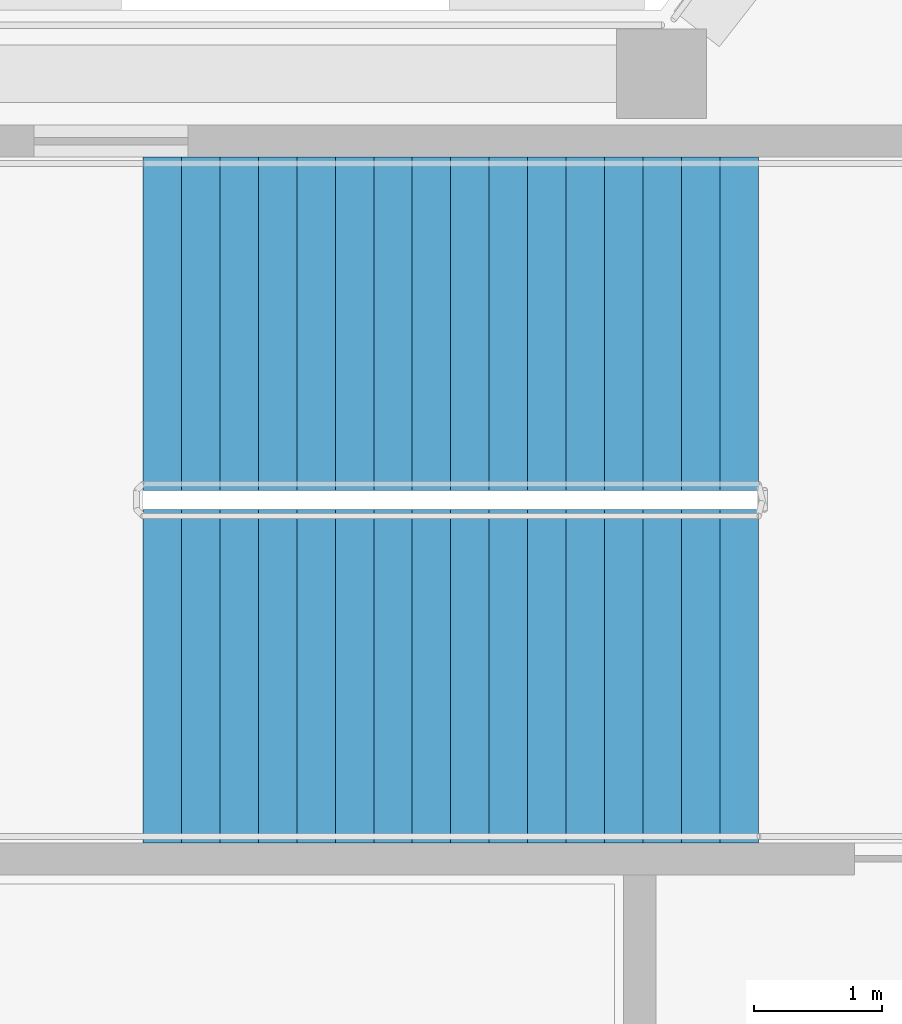
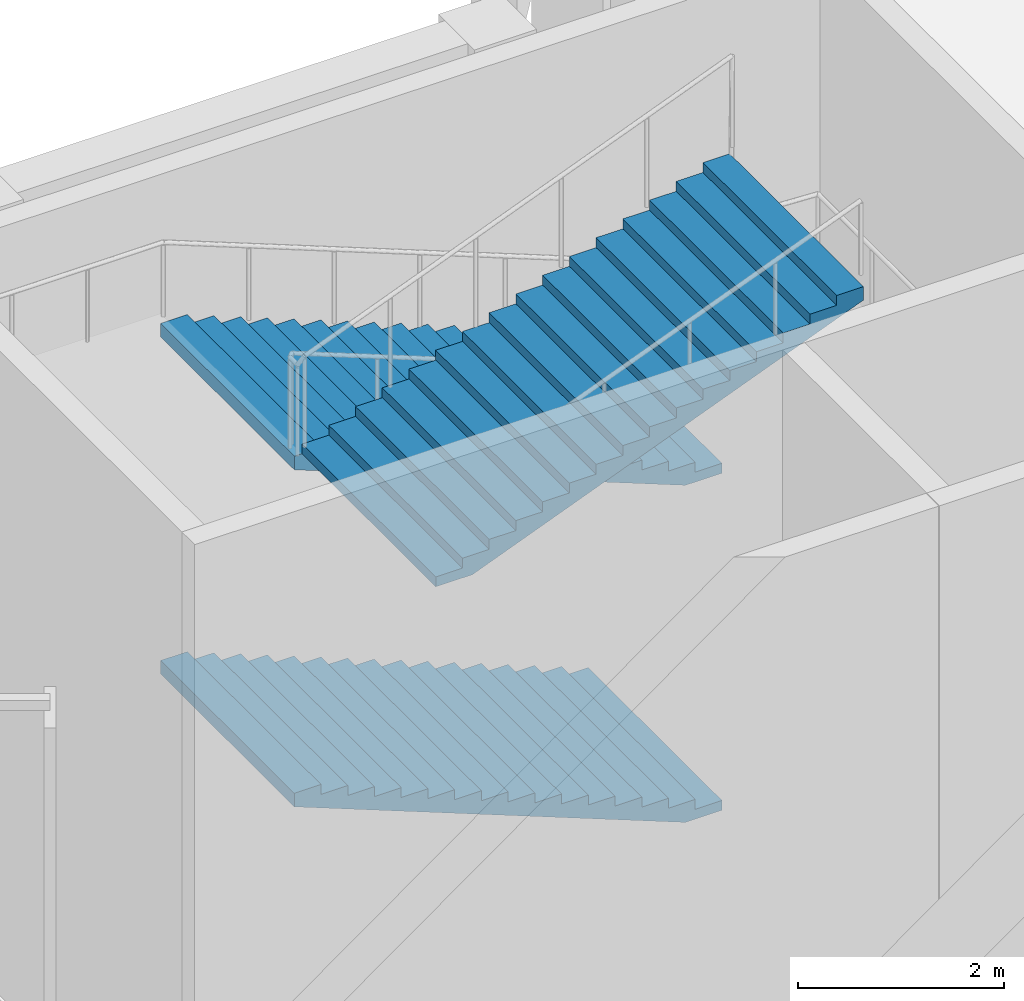
# One storey, part 6 of 12: 3 stair flights, 1 element without a shape of its own.
"""IFC4 building model written with IfcOpenShell, lengths in metres."""

from ifc_helpers import new_model, si_unit, direction, frame, origin, place, context, subcontext, project, spatial, polyline, outline, extrude, material, type_object, element, aggregate, save


model = new_model("IFC4")

# Units and contexts
model_context = context("Model", 3, precision=1e-05, world=origin(), true_north=direction((0.0, 1.0)))
body_context = subcontext(model_context, "Body", "Model", "MODEL_VIEW")
ifc_project = project(units=[si_unit("LENGTHUNIT", "METRE"), si_unit("AREAUNIT", "SQUARE_METRE"), si_unit("VOLUMEUNIT", "CUBIC_METRE"), si_unit("PLANEANGLEUNIT", "RADIAN"), si_unit("MASSUNIT", "GRAM", prefix="KILO")], contexts=[model_context])

# Site, building, storey
site_placement = place(None, origin())
site = spatial("IfcSite", under=ifc_project, at=site_placement, CompositionType="ELEMENT")
building_placement = place(site_placement, origin())
building = spatial("IfcBuilding", under=site, at=building_placement, Name="Quipu Civic Tower", CompositionType="ELEMENT")
storey_placement = place(building_placement, frame((0.0, 0.0, 273.0)))
storey = spatial("IfcBuildingStorey", under=building, at=storey_placement, Name="L64", CompositionType="ELEMENT", Elevation=273.0)

# Stair, stair flights
ifc_material_1 = material(Name="Concrete C40/50", Category="concrete")
stair_type = type_object("IfcStairType", Name="Half turn stair 2600", PredefinedType="HALF_TURN_STAIR", material=ifc_material_1)
stair_placement = place(storey_placement, origin())
stair = element("IfcStair", 1, at=stair_placement, inside=storey, type_object=stair_type, Name="Exit stair 4", PredefinedType="HALF_TURN_STAIR")
ifc_material_2 = material(Name="Concrete C40/50", Category="concrete")
stair_flight_type = type_object("IfcStairFlightType", Name="Stair flight 2600", PredefinedType="STRAIGHT", material=ifc_material_2)
stair_flight_1_placement = place(storey_placement, frame((15.14990234375, 8.550048828125, 0.0), z_axis=(0.0, 0.0, 1.0), x_axis=(-1.0, 0.0, 0.0)))
stair_flight_1 = element("IfcStairFlight", 2, at=stair_flight_1_placement, type_object=stair_flight_type, Name="ST-4 flight 1", NumberOfRisers=17, NumberOfTreads=16, PredefinedType="STRAIGHT", RiserHeight=0.117647059, TreadLength=0.3, context=body_context, shape_type="SweptSolid", body=[
    extrude(outline(polyline([(0.0, 0.0), (0.0, 0.11767578125), (0.300048828125, 0.11767578125), (0.300048828125, 0.2353515625), (0.60009765625, 0.2353515625), (0.60009765625, 0.35302734375), (0.89990234375, 0.35302734375), (0.89990234375, 0.470703125), (1.199951171875, 0.470703125), (1.199951171875, 0.588134765625), (1.5, 0.588134765625), (1.5, 0.705810546875), (1.800048828125, 0.705810546875), (1.800048828125, 0.823486328125), (2.10009765625, 0.823486328125), (2.10009765625, 0.941162109375), (2.39990234375, 0.941162109375), (2.39990234375, 1.058837890625), (2.699951171875, 1.058837890625), (2.699951171875, 1.176513671875), (3.0, 1.176513671875), (3.0, 1.294189453125), (3.300048828125, 1.294189453125), (3.300048828125, 1.411865234375), (3.60009765625, 1.411865234375), (3.60009765625, 1.529296875), (3.89990234375, 1.529296875), (3.89990234375, 1.64697265625), (4.199951171875, 1.64697265625), (4.199951171875, 1.7646484375), (4.5, 1.7646484375), (4.5, 1.88232421875), (4.800048828125, 1.88232421875), (4.800048828125, 2.0), (4.800048828125, 1.721435546875), (0.41064453125, 0.0), (0.0, 0.0)])), frame((0.0, 1.300048828125, 0.0), z_axis=(0.0, -1.0, 0.0), x_axis=(1.0, 0.0, 0.0)), (0.0, 0.0, 1.0), 2.60009765625),
])
stair_flight_2_placement = place(storey_placement, frame((15.14990234375, 8.550048828125, 4.0), z_axis=(0.0, 0.0, 1.0), x_axis=(-1.0, 0.0, 0.0)))
stair_flight_2 = element("IfcStairFlight", 3, at=stair_flight_2_placement, type_object=stair_flight_type, Name="ST-4 flight 3", NumberOfRisers=17, NumberOfTreads=16, PredefinedType="STRAIGHT", RiserHeight=0.117647059, TreadLength=0.3, context=body_context, shape_type="SweptSolid", body=[
    extrude(outline(polyline([(0.0, 0.0), (0.0, 0.11767578125), (0.300048828125, 0.11767578125), (0.300048828125, 0.2353515625), (0.60009765625, 0.2353515625), (0.60009765625, 0.35302734375), (0.89990234375, 0.35302734375), (0.89990234375, 0.470703125), (1.199951171875, 0.470703125), (1.199951171875, 0.588134765625), (1.5, 0.588134765625), (1.5, 0.705810546875), (1.800048828125, 0.705810546875), (1.800048828125, 0.823486328125), (2.10009765625, 0.823486328125), (2.10009765625, 0.941162109375), (2.39990234375, 0.941162109375), (2.39990234375, 1.058837890625), (2.699951171875, 1.058837890625), (2.699951171875, 1.176513671875), (3.0, 1.176513671875), (3.0, 1.294189453125), (3.300048828125, 1.294189453125), (3.300048828125, 1.411865234375), (3.60009765625, 1.411865234375), (3.60009765625, 1.529296875), (3.89990234375, 1.529296875), (3.89990234375, 1.64697265625), (4.199951171875, 1.64697265625), (4.199951171875, 1.7646484375), (4.5, 1.7646484375), (4.5, 1.88232421875), (4.800048828125, 1.88232421875), (4.800048828125, 2.0), (4.800048828125, 1.721435546875), (0.41064453125, 0.0), (0.0, 0.0)])), frame((0.0, 1.300048828125, 0.0), z_axis=(0.0, -1.0, 0.0), x_axis=(1.0, 0.0, 0.0)), (0.0, 0.0, 1.0), 2.60009765625),
])
stair_flight_3_placement = place(storey_placement, frame((10.35009765625, 5.800048828125, 6.0), z_axis=(0.0, 0.0, 1.0), x_axis=(1.0, 0.0, 0.0)))
stair_flight_3 = element("IfcStairFlight", 4, at=stair_flight_3_placement, type_object=stair_flight_type, Name="ST-4 flight 4", NumberOfRisers=17, NumberOfTreads=16, PredefinedType="STRAIGHT", RiserHeight=0.117647059, TreadLength=0.3, context=body_context, shape_type="SweptSolid", body=[
    extrude(outline(polyline([(0.0, 0.0), (0.0, 0.11767578125), (0.300048828125, 0.11767578125), (0.300048828125, 0.2353515625), (0.60009765625, 0.2353515625), (0.60009765625, 0.35302734375), (0.89990234375, 0.35302734375), (0.89990234375, 0.470703125), (1.199951171875, 0.470703125), (1.199951171875, 0.588134765625), (1.5, 0.588134765625), (1.5, 0.705810546875), (1.800048828125, 0.705810546875), (1.800048828125, 0.823486328125), (2.10009765625, 0.823486328125), (2.10009765625, 0.941162109375), (2.39990234375, 0.941162109375), (2.39990234375, 1.058837890625), (2.699951171875, 1.058837890625), (2.699951171875, 1.176513671875), (3.0, 1.176513671875), (3.0, 1.294189453125), (3.300048828125, 1.294189453125), (3.300048828125, 1.411865234375), (3.60009765625, 1.411865234375), (3.60009765625, 1.529296875), (3.89990234375, 1.529296875), (3.89990234375, 1.64697265625), (4.199951171875, 1.64697265625), (4.199951171875, 1.7646484375), (4.5, 1.7646484375), (4.5, 1.88232421875), (4.800048828125, 1.88232421875), (4.800048828125, 2.0), (4.800048828125, 1.721435546875), (0.41064453125, 0.0), (0.0, 0.0)])), frame((0.0, 1.300048828125, 0.0), z_axis=(0.0, -1.0, 0.0), x_axis=(1.0, 0.0, 0.0)), (0.0, 0.0, 1.0), 2.60009765625),
])
aggregate(stair, [stair_flight_1, stair_flight_2, stair_flight_3])

save(model, "model.ifc")
